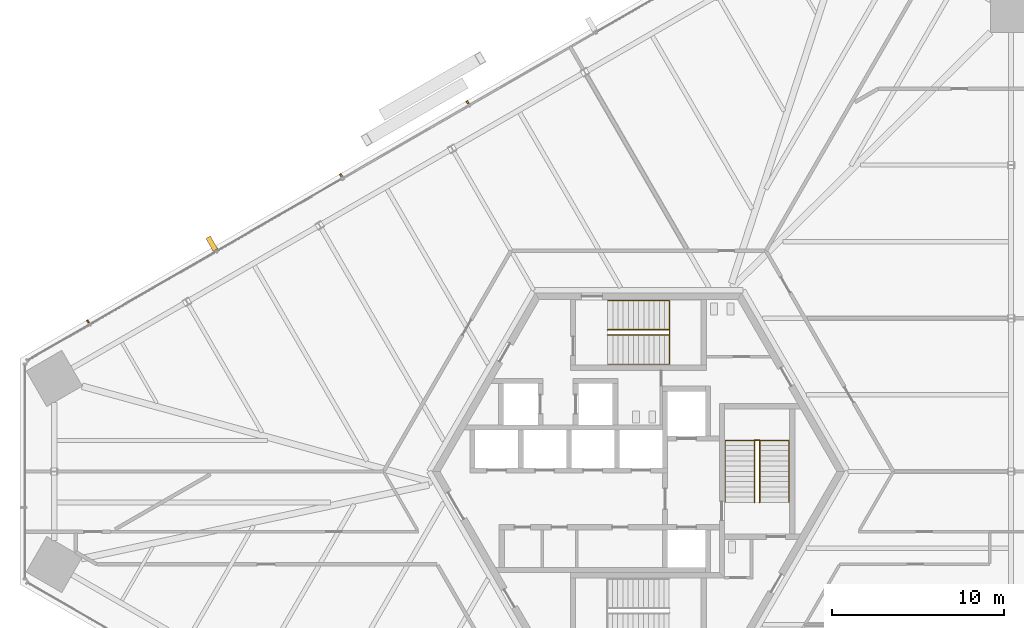
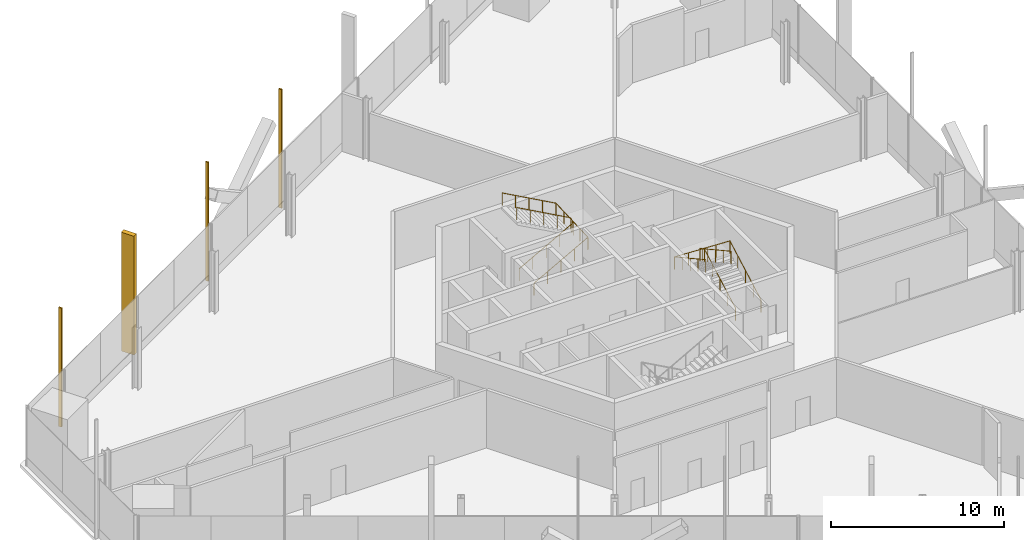
# One storey, part 16 of 18: 4 railings, 4 shading devices.
"""IFC4 building model written with IfcOpenShell, lengths in metres."""

from ifc_helpers import new_model, si_unit, direction, frame, origin, origin_2d, place, context, subcontext, project, spatial, rectangle, circle, extrude, source, transform, mapped, material, type_object, element, save


model = new_model("IFC4")

# Units and contexts
model_context = context("Model", 3, precision=1e-05, world=origin(), true_north=direction((0.0, 1.0)))
body_context = subcontext(model_context, "Body", "Model", "MODEL_VIEW")
ifc_project = project(units=[si_unit("LENGTHUNIT", "METRE"), si_unit("AREAUNIT", "SQUARE_METRE"), si_unit("VOLUMEUNIT", "CUBIC_METRE"), si_unit("PLANEANGLEUNIT", "RADIAN"), si_unit("MASSUNIT", "GRAM", prefix="KILO")], contexts=[model_context])

# Site, building, storey
site_placement = place(None, origin())
site = spatial("IfcSite", under=ifc_project, at=site_placement, CompositionType="ELEMENT")
building_placement = place(site_placement, origin())
building = spatial("IfcBuilding", under=site, at=building_placement, Name="Triune Harvest Tower", CompositionType="ELEMENT")
storey_placement = place(building_placement, frame((0.0, 0.0, 33.199951171875)))
storey = spatial("IfcBuildingStorey", under=building, at=storey_placement, Name="L07", CompositionType="ELEMENT", Elevation=33.199951171875)

# Railings
ifc_material_1 = material(Name="Stainless steel AISI 316", Category="steel")
railing_type = type_object("IfcRailingType", Name="Stair handrail", PredefinedType="HANDRAIL", material=ifc_material_1)
shared_shape_1 = source(origin(), body_context, "Body", "SweptSolid", [
    extrude(circle(Radius=0.02392578125, at=origin_2d()), frame((0.0, 0.0, 0.8759765625), z_axis=(0.875746539262, 0.0, 0.482771166259), x_axis=(0.0, 1.0, 0.0)), (0.0, 0.0, 1.0), 4.11083984375),
    extrude(circle(Radius=0.02392578125, at=origin_2d()), frame((3.60009765625, 0.0, 2.8603515625), z_axis=(0.0, 0.999003709343, 0.04462721948), x_axis=(-1.0, 0.0, 0.0)), (0.0, 0.0, 1.0), 3.70361328125),
    extrude(circle(Radius=0.02392578125, at=origin_2d()), frame((3.60009765625, 3.699951171875, 3.02587890625), z_axis=(-0.875746539262, 0.0, 0.482771166259), x_axis=(0.0, -1.0, 0.0)), (0.0, 0.0, 1.0), 4.11083984375),
    extrude(circle(Radius=0.02099609375, at=origin_2d()), origin(), (0.0, 0.0, 1.0), 0.851806640625),
    extrude(circle(Radius=0.02099609375, at=origin_2d()), frame((0.89990234375, 0.0, 0.49609375)), (0.0, 0.0, 1.0), 0.851806640625),
    extrude(circle(Radius=0.02099609375, at=origin_2d()), frame((1.800048828125, 0.0, 0.9921875)), (0.0, 0.0, 1.0), 0.851806640625),
    extrude(circle(Radius=0.02099609375, at=origin_2d()), frame((2.7001953125, 0.0, 1.488525390625)), (0.0, 0.0, 1.0), 0.851806640625),
    extrude(circle(Radius=0.02099609375, at=origin_2d()), frame((3.60009765625, 0.0, 1.984619140625)), (0.0, 0.0, 1.0), 0.851806640625),
    extrude(circle(Radius=0.02099609375, at=origin_2d()), frame((3.60009765625, 0.925048828125, 2.02587890625)), (0.0, 0.0, 1.0), 0.851806640625),
    extrude(circle(Radius=0.02099609375, at=origin_2d()), frame((3.60009765625, 1.85009765625, 2.0673828125)), (0.0, 0.0, 1.0), 0.851806640625),
    extrude(circle(Radius=0.02099609375, at=origin_2d()), frame((3.60009765625, 2.77490234375, 2.108642578125)), (0.0, 0.0, 1.0), 0.851806640625),
    extrude(circle(Radius=0.02099609375, at=origin_2d()), frame((3.60009765625, 3.699951171875, 2.14990234375)), (0.0, 0.0, 1.0), 0.851806640625),
    extrude(circle(Radius=0.02099609375, at=origin_2d()), frame((2.7001953125, 3.699951171875, 2.64599609375)), (0.0, 0.0, 1.0), 0.851806640625),
    extrude(circle(Radius=0.02099609375, at=origin_2d()), frame((1.800048828125, 3.699951171875, 3.14208984375)), (0.0, 0.0, 1.0), 0.851806640625),
    extrude(circle(Radius=0.02099609375, at=origin_2d()), frame((0.89990234375, 3.699951171875, 3.638427734375)), (0.0, 0.0, 1.0), 0.851806640625),
    extrude(circle(Radius=0.02099609375, at=origin_2d()), frame((0.0, 3.699951171875, 4.134521484375)), (0.0, 0.0, 1.0), 0.851806640625),
])
railing_1_placement = place(storey_placement, frame((-1.7900390625, 6.239990234375, 0.16552734375)))
element("IfcRailing", 1, at=railing_1_placement, inside=storey, type_object=railing_type, Name="Exit stair north wall handrail", PredefinedType="HANDRAIL", context=body_context, shape_type="MappedRepresentation", body=[
    mapped(shared_shape_1, transform((0.0, 0.0, 0.0), scale=1.0)),
])
shared_shape_2 = source(origin(), body_context, "Body", "SweptSolid", [
    extrude(circle(Radius=0.02392578125, at=origin_2d()), frame((0.0, 0.0, 0.8759765625), z_axis=(0.875746539262, 0.0, 0.482771166259), x_axis=(0.0, 1.0, 0.0)), (0.0, 0.0, 1.0), 4.11083984375),
    extrude(circle(Radius=0.02392578125, at=origin_2d()), frame((3.60009765625, 0.0, 2.8603515625), z_axis=(0.0, 0.875899727824, 0.48249317798), x_axis=(-1.0, 0.0, 0.0)), (0.0, 0.0, 1.0), 0.342529296875),
    extrude(circle(Radius=0.02392578125, at=origin_2d()), frame((3.60009765625, 0.300048828125, 3.02587890625), z_axis=(-0.875746539262, 0.0, 0.482771166259), x_axis=(0.0, -1.0, 0.0)), (0.0, 0.0, 1.0), 4.11083984375),
    extrude(circle(Radius=0.02099609375, at=origin_2d()), origin(), (0.0, 0.0, 1.0), 0.851806640625),
    extrude(circle(Radius=0.02099609375, at=origin_2d()), frame((0.89990234375, 0.0, 0.49609375)), (0.0, 0.0, 1.0), 0.851806640625),
    extrude(circle(Radius=0.02099609375, at=origin_2d()), frame((1.800048828125, 0.0, 0.9921875)), (0.0, 0.0, 1.0), 0.851806640625),
    extrude(circle(Radius=0.02099609375, at=origin_2d()), frame((2.7001953125, 0.0, 1.488525390625)), (0.0, 0.0, 1.0), 0.851806640625),
    extrude(circle(Radius=0.02099609375, at=origin_2d()), frame((3.60009765625, 0.0, 1.984619140625)), (0.0, 0.0, 1.0), 0.851806640625),
    extrude(circle(Radius=0.02099609375, at=origin_2d()), frame((3.60009765625, 0.300048828125, 2.14990234375)), (0.0, 0.0, 1.0), 0.851806640625),
    extrude(circle(Radius=0.02099609375, at=origin_2d()), frame((2.7001953125, 0.300048828125, 2.64599609375)), (0.0, 0.0, 1.0), 0.851806640625),
    extrude(circle(Radius=0.02099609375, at=origin_2d()), frame((1.800048828125, 0.300048828125, 3.14208984375)), (0.0, 0.0, 1.0), 0.851806640625),
    extrude(circle(Radius=0.02099609375, at=origin_2d()), frame((0.89990234375, 0.300048828125, 3.638427734375)), (0.0, 0.0, 1.0), 0.851806640625),
    extrude(circle(Radius=0.02099609375, at=origin_2d()), frame((0.0, 0.300048828125, 4.134521484375)), (0.0, 0.0, 1.0), 0.851806640625),
])
railing_2_placement = place(storey_placement, frame((-1.7900390625, 7.93994140625, 0.16552734375)))
element("IfcRailing", 2, at=railing_2_placement, inside=storey, type_object=railing_type, Name="Exit stair north centre handrail", PredefinedType="HANDRAIL", context=body_context, shape_type="MappedRepresentation", body=[
    mapped(shared_shape_2, transform((0.0, 0.0, 0.0), scale=1.0)),
])
shared_shape_3 = source(origin(), body_context, "Body", "SweptSolid", [
    extrude(circle(Radius=0.02392578125, at=origin_2d()), frame((0.0, 0.0, 0.8759765625), z_axis=(0.0, 0.875746539262, 0.482771166259), x_axis=(-1.0, 0.0, 0.0)), (0.0, 0.0, 1.0), 4.11083984375),
    extrude(circle(Radius=0.02392578125, at=origin_2d()), frame((0.0, 3.60009765625, 2.8603515625), z_axis=(-0.999003709343, 0.0, 0.04462721948), x_axis=(0.0, -1.0, 0.0)), (0.0, 0.0, 1.0), 3.70361328125),
    extrude(circle(Radius=0.02392578125, at=origin_2d()), frame((-3.699951171875, 3.60009765625, 3.02587890625), z_axis=(0.0, -0.875746539262, 0.482771166259), x_axis=(1.0, 0.0, 0.0)), (0.0, 0.0, 1.0), 4.11083984375),
    extrude(circle(Radius=0.02099609375, at=origin_2d()), origin(), (0.0, 0.0, 1.0), 0.851806640625),
    extrude(circle(Radius=0.02099609375, at=origin_2d()), frame((0.0, 0.89990234375, 0.49609375)), (0.0, 0.0, 1.0), 0.851806640625),
    extrude(circle(Radius=0.02099609375, at=origin_2d()), frame((0.0, 1.800048828125, 0.9921875)), (0.0, 0.0, 1.0), 0.851806640625),
    extrude(circle(Radius=0.02099609375, at=origin_2d()), frame((0.0, 2.7001953125, 1.488525390625)), (0.0, 0.0, 1.0), 0.851806640625),
    extrude(circle(Radius=0.02099609375, at=origin_2d()), frame((0.0, 3.60009765625, 1.984619140625)), (0.0, 0.0, 1.0), 0.851806640625),
    extrude(circle(Radius=0.02099609375, at=origin_2d()), frame((-0.925048828125, 3.60009765625, 2.02587890625)), (0.0, 0.0, 1.0), 0.851806640625),
    extrude(circle(Radius=0.02099609375, at=origin_2d()), frame((-1.85009765625, 3.60009765625, 2.0673828125)), (0.0, 0.0, 1.0), 0.851806640625),
    extrude(circle(Radius=0.02099609375, at=origin_2d()), frame((-2.77490234375, 3.60009765625, 2.108642578125)), (0.0, 0.0, 1.0), 0.851806640625),
    extrude(circle(Radius=0.02099609375, at=origin_2d()), frame((-3.699951171875, 3.60009765625, 2.14990234375)), (0.0, 0.0, 1.0), 0.851806640625),
    extrude(circle(Radius=0.02099609375, at=origin_2d()), frame((-3.699951171875, 2.7001953125, 2.64599609375)), (0.0, 0.0, 1.0), 0.851806640625),
    extrude(circle(Radius=0.02099609375, at=origin_2d()), frame((-3.699951171875, 1.800048828125, 3.14208984375)), (0.0, 0.0, 1.0), 0.851806640625),
    extrude(circle(Radius=0.02099609375, at=origin_2d()), frame((-3.699951171875, 0.89990234375, 3.638427734375)), (0.0, 0.0, 1.0), 0.851806640625),
    extrude(circle(Radius=0.02099609375, at=origin_2d()), frame((-3.699951171875, 0.0, 4.134521484375)), (0.0, 0.0, 1.0), 0.851806640625),
])
railing_3_placement = place(storey_placement, frame((8.75, -1.7900390625, 0.16552734375)))
element("IfcRailing", 3, at=railing_3_placement, inside=storey, type_object=railing_type, Name="Exit stair east wall handrail", PredefinedType="HANDRAIL", context=body_context, shape_type="MappedRepresentation", body=[
    mapped(shared_shape_3, transform((0.0, 0.0, 0.0), scale=1.0)),
])
shared_shape_4 = source(origin(), body_context, "Body", "SweptSolid", [
    extrude(circle(Radius=0.02392578125, at=origin_2d()), frame((0.0, 0.0, 0.8759765625), z_axis=(0.0, 0.875746539262, 0.482771166259), x_axis=(-1.0, 0.0, 0.0)), (0.0, 0.0, 1.0), 4.11083984375),
    extrude(circle(Radius=0.02392578125, at=origin_2d()), frame((0.0, 3.60009765625, 2.8603515625), z_axis=(-0.875899727824, 0.0, 0.48249317798), x_axis=(0.0, -1.0, 0.0)), (0.0, 0.0, 1.0), 0.342529296875),
    extrude(circle(Radius=0.02392578125, at=origin_2d()), frame((-0.300048828125, 3.60009765625, 3.02587890625), z_axis=(0.0, -0.875746539262, 0.482771166259), x_axis=(1.0, 0.0, 0.0)), (0.0, 0.0, 1.0), 4.11083984375),
    extrude(circle(Radius=0.02099609375, at=origin_2d()), origin(), (0.0, 0.0, 1.0), 0.851806640625),
    extrude(circle(Radius=0.02099609375, at=origin_2d()), frame((0.0, 0.89990234375, 0.49609375)), (0.0, 0.0, 1.0), 0.851806640625),
    extrude(circle(Radius=0.02099609375, at=origin_2d()), frame((0.0, 1.800048828125, 0.9921875)), (0.0, 0.0, 1.0), 0.851806640625),
    extrude(circle(Radius=0.02099609375, at=origin_2d()), frame((0.0, 2.7001953125, 1.488525390625)), (0.0, 0.0, 1.0), 0.851806640625),
    extrude(circle(Radius=0.02099609375, at=origin_2d()), frame((0.0, 3.60009765625, 1.984619140625)), (0.0, 0.0, 1.0), 0.851806640625),
    extrude(circle(Radius=0.02099609375, at=origin_2d()), frame((-0.300048828125, 3.60009765625, 2.14990234375)), (0.0, 0.0, 1.0), 0.851806640625),
    extrude(circle(Radius=0.02099609375, at=origin_2d()), frame((-0.300048828125, 2.7001953125, 2.64599609375)), (0.0, 0.0, 1.0), 0.851806640625),
    extrude(circle(Radius=0.02099609375, at=origin_2d()), frame((-0.300048828125, 1.800048828125, 3.14208984375)), (0.0, 0.0, 1.0), 0.851806640625),
    extrude(circle(Radius=0.02099609375, at=origin_2d()), frame((-0.300048828125, 0.89990234375, 3.638427734375)), (0.0, 0.0, 1.0), 0.851806640625),
    extrude(circle(Radius=0.02099609375, at=origin_2d()), frame((-0.300048828125, 0.0, 4.134521484375)), (0.0, 0.0, 1.0), 0.851806640625),
])
railing_4_placement = place(storey_placement, frame((7.050048828125, -1.7900390625, 0.16552734375)))
element("IfcRailing", 4, at=railing_4_placement, inside=storey, type_object=railing_type, Name="Exit stair east centre handrail", PredefinedType="HANDRAIL", context=body_context, shape_type="MappedRepresentation", body=[
    mapped(shared_shape_4, transform((0.0, 0.0, 0.0), scale=1.0)),
])

# Shading devices
ifc_material_2 = material(Name="Aluminium bronze anodised", Category="aluminium")
shared_shape_5 = source(origin(), body_context, "Body", "SweptSolid", [
    extrude(rectangle(XDim=0.10009765625, YDim=0.199951171875, at=origin_2d()), origin(), (0.0, 0.0, 1.0), 8.39990234375),
])
for number, where, z_axis, x_axis, name in (
    (5, (-9.946044921875, 21.4755859375, 0.0), (0.0, 0.0, 1.0), (-0.866025470037, -0.499999885247, 0.0), "FN-1 fin B1-F3.7 L07"),
    (6, (-17.304931640625, 17.226806640625, 0.0), (0.0, 0.0, 1.0), (-0.866025470037, -0.499999885247, 0.0), "FN-1 fin B1-F3.9 L07"),
    (7, (-32.02294921875, 8.7294921875, 0.0), (0.0, 0.0, 1.0), (-0.866025470037, -0.499999885247, 0.0), "FN-1 fin B1-F3.13 L07"),
):
    element("IfcShadingDevice", number, at=place(storey_placement, frame(where, z_axis=z_axis, x_axis=x_axis)), inside=storey, material=ifc_material_2, Name=name, ObjectType="FIN", PredefinedType="USERDEFINED", context=body_context, shape_type="MappedRepresentation", body=[
        mapped(shared_shape_5, transform((0.0, 0.0, 0.0), scale=1.0)),
    ])
shared_shape_6 = source(origin(), body_context, "Body", "SweptSolid", [
    extrude(rectangle(XDim=0.300048828125, YDim=0.85009765625, at=origin_2d()), origin(), (0.0, 0.0, 1.0), 8.39990234375),
])
shading_device_placement = place(storey_placement, frame((-24.826416015625, 13.259521484375, 0.0), z_axis=(0.0, 0.0, 1.0), x_axis=(-0.866025470037, -0.499999885247, 0.0)))
element("IfcShadingDevice", 8, at=shading_device_placement, inside=storey, material=ifc_material_2, Name="FN-2 fin B1-F3.11 L07", ObjectType="FIN", PredefinedType="USERDEFINED", context=body_context, shape_type="MappedRepresentation", body=[
    mapped(shared_shape_6, transform((0.0, 0.0, 0.0), scale=1.0)),
])

save(model, "model.ifc")
